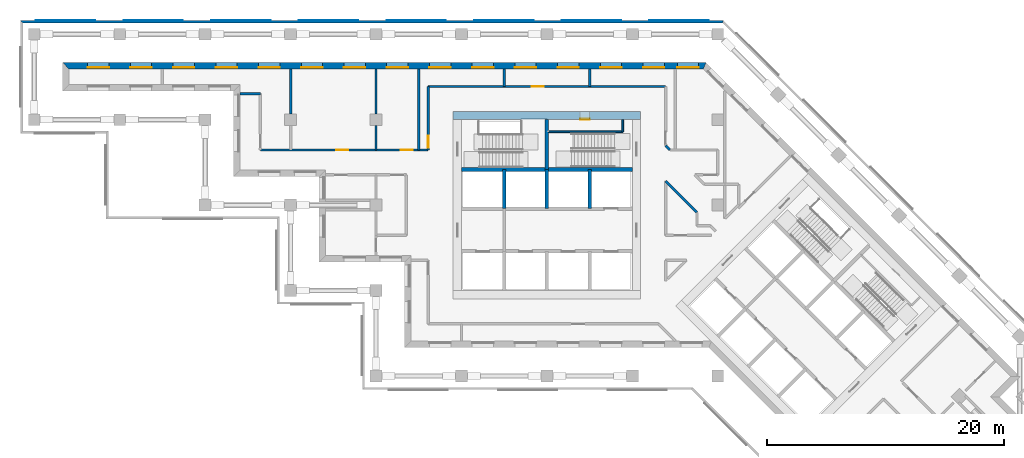
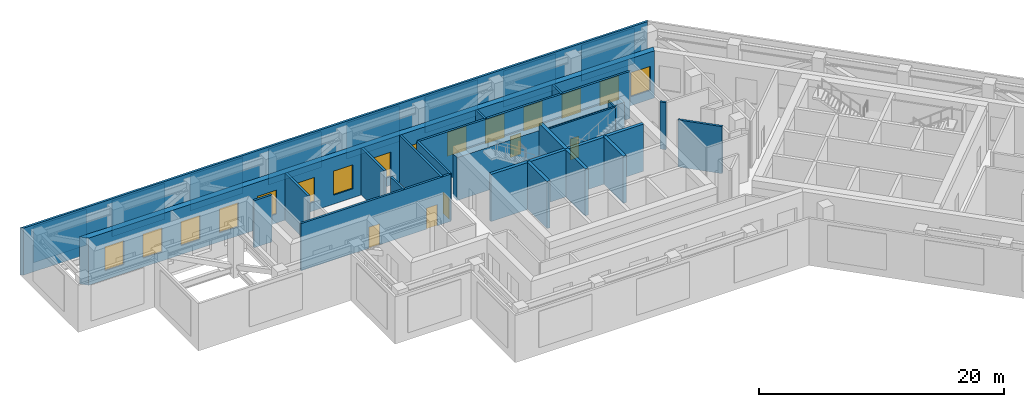
# One storey, part 5 of 9: 23 walls, 15 windows, 8 plates, 5 doors, 20 openings.
"""IFC4 building model written with IfcOpenShell, lengths in metres."""

from ifc_helpers import new_model, si_unit, direction, frame, frame_2d, origin, place, context, subcontext, project, spatial, polyline, rectangle, outline, extrude, material, layer, layer_set, type_object, element, fill, aggregate, save


model = new_model("IFC4")

# Units and contexts
model_context = context("Model", 3, precision=1e-05, world=origin(), true_north=direction((0.0, 1.0)))
body_context = subcontext(model_context, "Body", "Model", "MODEL_VIEW")
ifc_project = project(units=[si_unit("LENGTHUNIT", "METRE"), si_unit("AREAUNIT", "SQUARE_METRE"), si_unit("VOLUMEUNIT", "CUBIC_METRE"), si_unit("PLANEANGLEUNIT", "RADIAN"), si_unit("MASSUNIT", "GRAM", prefix="KILO")], contexts=[model_context])

# Plate
ifc_material_1 = material(Name="Aluminium louvre", Category="aluminium")
ifc_layer_1 = layer(ifc_material_1, 0.05)
ifc_layer_set_1 = layer_set([ifc_layer_1], Name="Belt louvre panel 5000x3600")
plate_type = type_object("IfcPlateType", Name="Belt louvre panel 5000x3600", PredefinedType="SHEET", material=ifc_layer_set_1)
site_placement = place(None, origin())
building_placement = place(site_placement, origin())
storey_placement = place(building_placement, frame((0.0, 0.0, 126.2)))
plate_1_placement = place(storey_placement, frame((78.4421, 73.2, 0.75), z_axis=(0.0, 1.0, 0.0), x_axis=(-1.0, 0.0, 0.0)))
plate_1 = element("IfcPlate", 1, at=plate_1_placement, type_object=plate_type, Name="Belt louvre panel L34 26.1", PredefinedType="SHEET", context=body_context, shape_type="SweptSolid", body=[
    extrude(outline(polyline([(0.0, 0.0), (5.0, 0.0), (5.0, 3.6), (0.0, 3.6), (0.0, 0.0)])), origin(), (0.0, 0.0, -1.0), 0.05),
])

plate_2_placement = place(storey_placement, frame((71.0565, 73.2, 0.75), z_axis=(0.0, 1.0, 0.0), x_axis=(-1.0, 0.0, 0.0)))
plate_2 = element("IfcPlate", 2, at=plate_2_placement, type_object=plate_type, Name="Belt louvre panel L34 27.2", PredefinedType="SHEET", context=body_context, shape_type="SweptSolid", body=[
    extrude(outline(polyline([(0.0, 0.0), (5.0, 0.0), (5.0, 3.6), (0.0, 3.6), (0.0, 0.0)])), origin(), (0.0, 0.0, -1.0), 0.05),
])

plate_3_placement = place(storey_placement, frame((63.6709, 73.2, 0.75), z_axis=(0.0, 1.0, 0.0), x_axis=(-1.0, 0.0, 0.0)))
plate_3 = element("IfcPlate", 3, at=plate_3_placement, type_object=plate_type, Name="Belt louvre panel L34 28.3", PredefinedType="SHEET", context=body_context, shape_type="SweptSolid", body=[
    extrude(outline(polyline([(0.0, 0.0), (5.0, 0.0), (5.0, 3.6), (0.0, 3.6), (0.0, 0.0)])), origin(), (0.0, 0.0, -1.0), 0.05),
])

plate_4_placement = place(storey_placement, frame((56.2852, 73.2, 0.75), z_axis=(0.0, 1.0, 0.0), x_axis=(-1.0, 0.0, 0.0)))
plate_4 = element("IfcPlate", 4, at=plate_4_placement, type_object=plate_type, Name="Belt louvre panel L34 29.4", PredefinedType="SHEET", context=body_context, shape_type="SweptSolid", body=[
    extrude(outline(polyline([(0.0, 0.0), (5.0, 0.0), (5.0, 3.6), (0.0, 3.6), (0.0, 0.0)])), origin(), (0.0, 0.0, -1.0), 0.05),
])

plate_5_placement = place(storey_placement, frame((48.8996, 73.2, 0.75), z_axis=(0.0, 1.0, 0.0), x_axis=(-1.0, 0.0, 0.0)))
plate_5 = element("IfcPlate", 5, at=plate_5_placement, type_object=plate_type, Name="Belt louvre panel L34 30.5", PredefinedType="SHEET", context=body_context, shape_type="SweptSolid", body=[
    extrude(outline(polyline([(0.0, 0.0), (5.0, 0.0), (5.0, 3.6), (0.0, 3.6), (0.0, 0.0)])), origin(), (0.0, 0.0, -1.0), 0.05),
])

plate_6_placement = place(storey_placement, frame((41.514, 73.2, 0.75), z_axis=(0.0, 1.0, 0.0), x_axis=(-1.0, 0.0, 0.0)))
plate_6 = element("IfcPlate", 6, at=plate_6_placement, type_object=plate_type, Name="Belt louvre panel L34 31.6", PredefinedType="SHEET", context=body_context, shape_type="SweptSolid", body=[
    extrude(outline(polyline([(0.0, 0.0), (5.0, 0.0), (5.0, 3.6), (0.0, 3.6), (0.0, 0.0)])), origin(), (0.0, 0.0, -1.0), 0.05),
])

plate_7_placement = place(storey_placement, frame((34.1284, 73.2, 0.75), z_axis=(0.0, 1.0, 0.0), x_axis=(-1.0, 0.0, 0.0)))
plate_7 = element("IfcPlate", 7, at=plate_7_placement, type_object=plate_type, Name="Belt louvre panel L34 32.7", PredefinedType="SHEET", context=body_context, shape_type="SweptSolid", body=[
    extrude(outline(polyline([(0.0, 0.0), (5.0, 0.0), (5.0, 3.6), (0.0, 3.6), (0.0, 0.0)])), origin(), (0.0, 0.0, -1.0), 0.05),
])

plate_8_placement = place(storey_placement, frame((26.7428, 73.2, 0.75), z_axis=(0.0, 1.0, 0.0), x_axis=(-1.0, 0.0, 0.0)))
plate_8 = element("IfcPlate", 8, at=plate_8_placement, type_object=plate_type, Name="Belt louvre panel L34 33.8", PredefinedType="SHEET", context=body_context, shape_type="SweptSolid", body=[
    extrude(outline(polyline([(0.0, 0.0), (5.0, 0.0), (5.0, 3.6), (0.0, 3.6), (0.0, 0.0)])), origin(), (0.0, 0.0, -1.0), 0.05),
])

# Site, building, storey
site = spatial("IfcSite", under=ifc_project, at=site_placement, CompositionType="ELEMENT")
building = spatial("IfcBuilding", under=site, at=building_placement, Name="Windrow Commons", CompositionType="ELEMENT")
storey = spatial("IfcBuildingStorey", under=building, at=storey_placement, Name="L34", CompositionType="ELEMENT", Elevation=126.2)

# Wall
ifc_material_2 = material(Name="Concrete C40/50 precast screen panel", Category="concrete")
ifc_layer_2 = layer(ifc_material_2, 0.2)
ifc_layer_set_2 = layer_set([ifc_layer_2], Name="Belt screen wall 200")
wall_type_1 = type_object("IfcWallType", Name="Belt screen wall 200", PredefinedType="SOLIDWALL", material=ifc_layer_set_2)
wall_1_placement = place(storey_placement, frame((79.6349, 73.05, 0.0), z_axis=(0.0, 0.0, 1.0), x_axis=(-1.0, 0.0, 0.0)))
wall_1 = element("IfcWall", 9, at=wall_1_placement, inside=storey, type_object=wall_type_1, Name="Belt screen wall L34 26", PredefinedType="SOLIDWALL", context=body_context, shape_type="SweptSolid", body=[
    extrude(outline(polyline([(-0.0414, -0.1), (59.1849, -0.1), (58.9849, 0.1), (0.0414, 0.1), (-0.0414, -0.1)])), origin(), (0.0, 0.0, 1.0), 4.7),
])

aggregate(wall_1, [plate_1, plate_2, plate_3, plate_4, plate_5, plate_6, plate_7, plate_8])

# Wall, openings, windows
ifc_material_3 = material(Name="Brick masonry, red clay brick", Category="masonry")
ifc_layer_3 = layer(ifc_material_3, 0.55)
ifc_layer_set_3 = layer_set([ifc_layer_3], Name="Brick facade wall 550")
wall_type_2 = type_object("IfcWallType", Name="Brick facade wall 550", PredefinedType="SOLIDWALL", material=ifc_layer_set_3)
wall_2_placement = place(storey_placement, frame((78.092, 69.325, 0.0), z_axis=(0.0, 0.0, 1.0), x_axis=(-1.0, 0.0, 0.0)))
wall_2 = element("IfcWall", 10, at=wall_2_placement, inside=storey, type_object=wall_type_2, Name="Brick facade wall L34 4", PredefinedType="SOLIDWALL", context=body_context, shape_type="SweptSolid", body=[
    extrude(outline(polyline([(-0.1139, -0.275), (54.092, -0.275), (53.542, 0.275), (0.1139, 0.275), (-0.1139, -0.275)])), origin(), (0.0, 0.0, 1.0), 4.7),
])
opening_1_placement = place(wall_2_placement, frame((0.503, 0.0, 0.9)))
opening_1 = element("IfcOpeningElement", 11, at=opening_1_placement, cuts=wall_2, Name="Opening LV1", PredefinedType="OPENING", context=body_context, shape_type="SweptSolid", body=[
    extrude(rectangle(XDim=1.8, YDim=2.4, at=frame_2d((0.9, 1.2))), frame((0.0, 0.285, 0.0), z_axis=(0.0, -1.0, 0.0), x_axis=(1.0, 0.0, 0.0)), (0.0, 0.0, 1.0), 0.57),
])
opening_2_placement = place(wall_2_placement, frame((3.392, 0.0, 0.9)))
opening_2 = element("IfcOpeningElement", 12, at=opening_2_placement, cuts=wall_2, Name="Opening LV1", PredefinedType="OPENING", context=body_context, shape_type="SweptSolid", body=[
    extrude(rectangle(XDim=1.8, YDim=2.4, at=frame_2d((0.9, 1.2))), frame((0.0, 0.285, 0.0), z_axis=(0.0, -1.0, 0.0), x_axis=(1.0, 0.0, 0.0)), (0.0, 0.0, 1.0), 0.57),
])
opening_3_placement = place(wall_2_placement, frame((6.992, 0.0, 0.9)))
opening_3 = element("IfcOpeningElement", 13, at=opening_3_placement, cuts=wall_2, Name="Opening LV1", PredefinedType="OPENING", context=body_context, shape_type="SweptSolid", body=[
    extrude(rectangle(XDim=1.8, YDim=2.4, at=frame_2d((0.9, 1.2))), frame((0.0, 0.285, 0.0), z_axis=(0.0, -1.0, 0.0), x_axis=(1.0, 0.0, 0.0)), (0.0, 0.0, 1.0), 0.57),
])
opening_4_placement = place(wall_2_placement, frame((10.592, 0.0, 0.9)))
opening_4 = element("IfcOpeningElement", 14, at=opening_4_placement, cuts=wall_2, Name="Opening LV1", PredefinedType="OPENING", context=body_context, shape_type="SweptSolid", body=[
    extrude(rectangle(XDim=1.8, YDim=2.4, at=frame_2d((0.9, 1.2))), frame((0.0, 0.285, 0.0), z_axis=(0.0, -1.0, 0.0), x_axis=(1.0, 0.0, 0.0)), (0.0, 0.0, 1.0), 0.57),
])
opening_5_placement = place(wall_2_placement, frame((14.192, 0.0, 0.9)))
opening_5 = element("IfcOpeningElement", 15, at=opening_5_placement, cuts=wall_2, Name="Opening LV1", PredefinedType="OPENING", context=body_context, shape_type="SweptSolid", body=[
    extrude(rectangle(XDim=1.8, YDim=2.4, at=frame_2d((0.9, 1.2))), frame((0.0, 0.285, 0.0), z_axis=(0.0, -1.0, 0.0), x_axis=(1.0, 0.0, 0.0)), (0.0, 0.0, 1.0), 0.57),
])
opening_6_placement = place(wall_2_placement, frame((17.792, 0.0, 0.9)))
opening_6 = element("IfcOpeningElement", 16, at=opening_6_placement, cuts=wall_2, Name="Opening LV1", PredefinedType="OPENING", context=body_context, shape_type="SweptSolid", body=[
    extrude(rectangle(XDim=1.8, YDim=2.4, at=frame_2d((0.9, 1.2))), frame((0.0, 0.285, 0.0), z_axis=(0.0, -1.0, 0.0), x_axis=(1.0, 0.0, 0.0)), (0.0, 0.0, 1.0), 0.57),
])
opening_7_placement = place(wall_2_placement, frame((21.392, 0.0, 0.9)))
opening_7 = element("IfcOpeningElement", 17, at=opening_7_placement, cuts=wall_2, Name="Opening LV1", PredefinedType="OPENING", context=body_context, shape_type="SweptSolid", body=[
    extrude(rectangle(XDim=1.8, YDim=2.4, at=frame_2d((0.9, 1.2))), frame((0.0, 0.285, 0.0), z_axis=(0.0, -1.0, 0.0), x_axis=(1.0, 0.0, 0.0)), (0.0, 0.0, 1.0), 0.57),
])
opening_8_placement = place(wall_2_placement, frame((24.992, 0.0, 0.9)))
opening_8 = element("IfcOpeningElement", 18, at=opening_8_placement, cuts=wall_2, Name="Opening LV1", PredefinedType="OPENING", context=body_context, shape_type="SweptSolid", body=[
    extrude(rectangle(XDim=1.8, YDim=2.4, at=frame_2d((0.9, 1.2))), frame((0.0, 0.285, 0.0), z_axis=(0.0, -1.0, 0.0), x_axis=(1.0, 0.0, 0.0)), (0.0, 0.0, 1.0), 0.57),
])
opening_9_placement = place(wall_2_placement, frame((28.592, 0.0, 0.9)))
opening_9 = element("IfcOpeningElement", 19, at=opening_9_placement, cuts=wall_2, Name="Opening LV1", PredefinedType="OPENING", context=body_context, shape_type="SweptSolid", body=[
    extrude(rectangle(XDim=1.8, YDim=2.4, at=frame_2d((0.9, 1.2))), frame((0.0, 0.285, 0.0), z_axis=(0.0, -1.0, 0.0), x_axis=(1.0, 0.0, 0.0)), (0.0, 0.0, 1.0), 0.57),
])
opening_10_placement = place(wall_2_placement, frame((32.192, 0.0, 0.9)))
opening_10 = element("IfcOpeningElement", 20, at=opening_10_placement, cuts=wall_2, Name="Opening LV1", PredefinedType="OPENING", context=body_context, shape_type="SweptSolid", body=[
    extrude(rectangle(XDim=1.8, YDim=2.4, at=frame_2d((0.9, 1.2))), frame((0.0, 0.285, 0.0), z_axis=(0.0, -1.0, 0.0), x_axis=(1.0, 0.0, 0.0)), (0.0, 0.0, 1.0), 0.57),
])
opening_11_placement = place(wall_2_placement, frame((35.792, 0.0, 0.9)))
opening_11 = element("IfcOpeningElement", 21, at=opening_11_placement, cuts=wall_2, Name="Opening LV1", PredefinedType="OPENING", context=body_context, shape_type="SweptSolid", body=[
    extrude(rectangle(XDim=1.8, YDim=2.4, at=frame_2d((0.9, 1.2))), frame((0.0, 0.285, 0.0), z_axis=(0.0, -1.0, 0.0), x_axis=(1.0, 0.0, 0.0)), (0.0, 0.0, 1.0), 0.57),
])
opening_12_placement = place(wall_2_placement, frame((39.392, 0.0, 0.9)))
opening_12 = element("IfcOpeningElement", 22, at=opening_12_placement, cuts=wall_2, Name="Opening LV1", PredefinedType="OPENING", context=body_context, shape_type="SweptSolid", body=[
    extrude(rectangle(XDim=1.8, YDim=2.4, at=frame_2d((0.9, 1.2))), frame((0.0, 0.285, 0.0), z_axis=(0.0, -1.0, 0.0), x_axis=(1.0, 0.0, 0.0)), (0.0, 0.0, 1.0), 0.57),
])
opening_13_placement = place(wall_2_placement, frame((42.992, 0.0, 0.9)))
opening_13 = element("IfcOpeningElement", 23, at=opening_13_placement, cuts=wall_2, Name="Opening LV1", PredefinedType="OPENING", context=body_context, shape_type="SweptSolid", body=[
    extrude(rectangle(XDim=1.8, YDim=2.4, at=frame_2d((0.9, 1.2))), frame((0.0, 0.285, 0.0), z_axis=(0.0, -1.0, 0.0), x_axis=(1.0, 0.0, 0.0)), (0.0, 0.0, 1.0), 0.57),
])
opening_14_placement = place(wall_2_placement, frame((46.592, 0.0, 0.9)))
opening_14 = element("IfcOpeningElement", 24, at=opening_14_placement, cuts=wall_2, Name="Opening LV1", PredefinedType="OPENING", context=body_context, shape_type="SweptSolid", body=[
    extrude(rectangle(XDim=1.8, YDim=2.4, at=frame_2d((0.9, 1.2))), frame((0.0, 0.285, 0.0), z_axis=(0.0, -1.0, 0.0), x_axis=(1.0, 0.0, 0.0)), (0.0, 0.0, 1.0), 0.57),
])
opening_15_placement = place(wall_2_placement, frame((50.192, 0.0, 0.9)))
opening_15 = element("IfcOpeningElement", 25, at=opening_15_placement, cuts=wall_2, Name="Opening LV1", PredefinedType="OPENING", context=body_context, shape_type="SweptSolid", body=[
    extrude(rectangle(XDim=1.8, YDim=2.4, at=frame_2d((0.9, 1.2))), frame((0.0, 0.285, 0.0), z_axis=(0.0, -1.0, 0.0), x_axis=(1.0, 0.0, 0.0)), (0.0, 0.0, 1.0), 0.57),
])
ifc_material_4 = material(Name="Aluminium 6063-T6 anodised louvre", Category="aluminium")
window_type = type_object("IfcWindowType", Name="Plant louvre 1800x2400", PartitioningType="SINGLE_PANEL", PredefinedType="WINDOW", material=ifc_material_4)
window_1_placement = place(opening_1_placement, origin())
window_1 = element("IfcWindow", 26, at=window_1_placement, inside=storey, type_object=window_type, Name="Louvre L34 4.1", OverallHeight=2.4, OverallWidth=1.8, PartitioningType="SINGLE_PANEL", PredefinedType="WINDOW", context=body_context, shape_type="SweptSolid", body=[
    extrude(rectangle(XDim=1.8, YDim=2.4, at=frame_2d((0.9, 1.2))), frame((0.0, 0.155, 0.0), z_axis=(0.0, -1.0, 0.0), x_axis=(1.0, 0.0, 0.0)), (0.0, 0.0, 1.0), 0.06),
])
fill(opening_1, window_1)
window_2_placement = place(opening_2_placement, origin())
window_2 = element("IfcWindow", 27, at=window_2_placement, inside=storey, type_object=window_type, Name="Louvre L34 4.2", OverallHeight=2.4, OverallWidth=1.8, PartitioningType="SINGLE_PANEL", PredefinedType="WINDOW", context=body_context, shape_type="SweptSolid", body=[
    extrude(rectangle(XDim=1.8, YDim=2.4, at=frame_2d((0.9, 1.2))), frame((0.0, 0.155, 0.0), z_axis=(0.0, -1.0, 0.0), x_axis=(1.0, 0.0, 0.0)), (0.0, 0.0, 1.0), 0.06),
])
fill(opening_2, window_2)
window_3_placement = place(opening_3_placement, origin())
window_3 = element("IfcWindow", 28, at=window_3_placement, inside=storey, type_object=window_type, Name="Louvre L34 4.3", OverallHeight=2.4, OverallWidth=1.8, PartitioningType="SINGLE_PANEL", PredefinedType="WINDOW", context=body_context, shape_type="SweptSolid", body=[
    extrude(rectangle(XDim=1.8, YDim=2.4, at=frame_2d((0.9, 1.2))), frame((0.0, 0.155, 0.0), z_axis=(0.0, -1.0, 0.0), x_axis=(1.0, 0.0, 0.0)), (0.0, 0.0, 1.0), 0.06),
])
fill(opening_3, window_3)
window_4_placement = place(opening_4_placement, origin())
window_4 = element("IfcWindow", 29, at=window_4_placement, inside=storey, type_object=window_type, Name="Louvre L34 4.4", OverallHeight=2.4, OverallWidth=1.8, PartitioningType="SINGLE_PANEL", PredefinedType="WINDOW", context=body_context, shape_type="SweptSolid", body=[
    extrude(rectangle(XDim=1.8, YDim=2.4, at=frame_2d((0.9, 1.2))), frame((0.0, 0.155, 0.0), z_axis=(0.0, -1.0, 0.0), x_axis=(1.0, 0.0, 0.0)), (0.0, 0.0, 1.0), 0.06),
])
fill(opening_4, window_4)
window_5_placement = place(opening_5_placement, origin())
window_5 = element("IfcWindow", 30, at=window_5_placement, inside=storey, type_object=window_type, Name="Louvre L34 4.5", OverallHeight=2.4, OverallWidth=1.8, PartitioningType="SINGLE_PANEL", PredefinedType="WINDOW", context=body_context, shape_type="SweptSolid", body=[
    extrude(rectangle(XDim=1.8, YDim=2.4, at=frame_2d((0.9, 1.2))), frame((0.0, 0.155, 0.0), z_axis=(0.0, -1.0, 0.0), x_axis=(1.0, 0.0, 0.0)), (0.0, 0.0, 1.0), 0.06),
])
fill(opening_5, window_5)
window_6_placement = place(opening_6_placement, origin())
window_6 = element("IfcWindow", 31, at=window_6_placement, inside=storey, type_object=window_type, Name="Louvre L34 4.6", OverallHeight=2.4, OverallWidth=1.8, PartitioningType="SINGLE_PANEL", PredefinedType="WINDOW", context=body_context, shape_type="SweptSolid", body=[
    extrude(rectangle(XDim=1.8, YDim=2.4, at=frame_2d((0.9, 1.2))), frame((0.0, 0.155, 0.0), z_axis=(0.0, -1.0, 0.0), x_axis=(1.0, 0.0, 0.0)), (0.0, 0.0, 1.0), 0.06),
])
fill(opening_6, window_6)
window_7_placement = place(opening_7_placement, origin())
window_7 = element("IfcWindow", 32, at=window_7_placement, inside=storey, type_object=window_type, Name="Louvre L34 4.7", OverallHeight=2.4, OverallWidth=1.8, PartitioningType="SINGLE_PANEL", PredefinedType="WINDOW", context=body_context, shape_type="SweptSolid", body=[
    extrude(rectangle(XDim=1.8, YDim=2.4, at=frame_2d((0.9, 1.2))), frame((0.0, 0.155, 0.0), z_axis=(0.0, -1.0, 0.0), x_axis=(1.0, 0.0, 0.0)), (0.0, 0.0, 1.0), 0.06),
])
fill(opening_7, window_7)
window_8_placement = place(opening_8_placement, origin())
window_8 = element("IfcWindow", 33, at=window_8_placement, inside=storey, type_object=window_type, Name="Louvre L34 4.8", OverallHeight=2.4, OverallWidth=1.8, PartitioningType="SINGLE_PANEL", PredefinedType="WINDOW", context=body_context, shape_type="SweptSolid", body=[
    extrude(rectangle(XDim=1.8, YDim=2.4, at=frame_2d((0.9, 1.2))), frame((0.0, 0.155, 0.0), z_axis=(0.0, -1.0, 0.0), x_axis=(1.0, 0.0, 0.0)), (0.0, 0.0, 1.0), 0.06),
])
fill(opening_8, window_8)
window_9_placement = place(opening_9_placement, origin())
window_9 = element("IfcWindow", 34, at=window_9_placement, inside=storey, type_object=window_type, Name="Louvre L34 4.9", OverallHeight=2.4, OverallWidth=1.8, PartitioningType="SINGLE_PANEL", PredefinedType="WINDOW", context=body_context, shape_type="SweptSolid", body=[
    extrude(rectangle(XDim=1.8, YDim=2.4, at=frame_2d((0.9, 1.2))), frame((0.0, 0.155, 0.0), z_axis=(0.0, -1.0, 0.0), x_axis=(1.0, 0.0, 0.0)), (0.0, 0.0, 1.0), 0.06),
])
fill(opening_9, window_9)
window_10_placement = place(opening_10_placement, origin())
window_10 = element("IfcWindow", 35, at=window_10_placement, inside=storey, type_object=window_type, Name="Louvre L34 4.10", OverallHeight=2.4, OverallWidth=1.8, PartitioningType="SINGLE_PANEL", PredefinedType="WINDOW", context=body_context, shape_type="SweptSolid", body=[
    extrude(rectangle(XDim=1.8, YDim=2.4, at=frame_2d((0.9, 1.2))), frame((0.0, 0.155, 0.0), z_axis=(0.0, -1.0, 0.0), x_axis=(1.0, 0.0, 0.0)), (0.0, 0.0, 1.0), 0.06),
])
fill(opening_10, window_10)
window_11_placement = place(opening_11_placement, origin())
window_11 = element("IfcWindow", 36, at=window_11_placement, inside=storey, type_object=window_type, Name="Louvre L34 4.11", OverallHeight=2.4, OverallWidth=1.8, PartitioningType="SINGLE_PANEL", PredefinedType="WINDOW", context=body_context, shape_type="SweptSolid", body=[
    extrude(rectangle(XDim=1.8, YDim=2.4, at=frame_2d((0.9, 1.2))), frame((0.0, 0.155, 0.0), z_axis=(0.0, -1.0, 0.0), x_axis=(1.0, 0.0, 0.0)), (0.0, 0.0, 1.0), 0.06),
])
fill(opening_11, window_11)
window_12_placement = place(opening_12_placement, origin())
window_12 = element("IfcWindow", 37, at=window_12_placement, inside=storey, type_object=window_type, Name="Louvre L34 4.12", OverallHeight=2.4, OverallWidth=1.8, PartitioningType="SINGLE_PANEL", PredefinedType="WINDOW", context=body_context, shape_type="SweptSolid", body=[
    extrude(rectangle(XDim=1.8, YDim=2.4, at=frame_2d((0.9, 1.2))), frame((0.0, 0.155, 0.0), z_axis=(0.0, -1.0, 0.0), x_axis=(1.0, 0.0, 0.0)), (0.0, 0.0, 1.0), 0.06),
])
fill(opening_12, window_12)
window_13_placement = place(opening_13_placement, origin())
window_13 = element("IfcWindow", 38, at=window_13_placement, inside=storey, type_object=window_type, Name="Louvre L34 4.13", OverallHeight=2.4, OverallWidth=1.8, PartitioningType="SINGLE_PANEL", PredefinedType="WINDOW", context=body_context, shape_type="SweptSolid", body=[
    extrude(rectangle(XDim=1.8, YDim=2.4, at=frame_2d((0.9, 1.2))), frame((0.0, 0.155, 0.0), z_axis=(0.0, -1.0, 0.0), x_axis=(1.0, 0.0, 0.0)), (0.0, 0.0, 1.0), 0.06),
])
fill(opening_13, window_13)
window_14_placement = place(opening_14_placement, origin())
window_14 = element("IfcWindow", 39, at=window_14_placement, inside=storey, type_object=window_type, Name="Louvre L34 4.14", OverallHeight=2.4, OverallWidth=1.8, PartitioningType="SINGLE_PANEL", PredefinedType="WINDOW", context=body_context, shape_type="SweptSolid", body=[
    extrude(rectangle(XDim=1.8, YDim=2.4, at=frame_2d((0.9, 1.2))), frame((0.0, 0.155, 0.0), z_axis=(0.0, -1.0, 0.0), x_axis=(1.0, 0.0, 0.0)), (0.0, 0.0, 1.0), 0.06),
])
fill(opening_14, window_14)
window_15_placement = place(opening_15_placement, origin())
window_15 = element("IfcWindow", 40, at=window_15_placement, inside=storey, type_object=window_type, Name="Louvre L34 4.15", OverallHeight=2.4, OverallWidth=1.8, PartitioningType="SINGLE_PANEL", PredefinedType="WINDOW", context=body_context, shape_type="SweptSolid", body=[
    extrude(rectangle(XDim=1.8, YDim=2.4, at=frame_2d((0.9, 1.2))), frame((0.0, 0.155, 0.0), z_axis=(0.0, -1.0, 0.0), x_axis=(1.0, 0.0, 0.0)), (0.0, 0.0, 1.0), 0.06),
])
fill(opening_15, window_15)

# Wall, opening, door
ifc_material_5 = material(Name="Blockwork partition", Category="masonry")
ifc_layer_4 = layer(ifc_material_5, 0.2)
ifc_layer_set_4 = layer_set([ifc_layer_4], Name="IW-CORRIDOR-200")
wall_type_3 = type_object("IfcWallType", Name="IW-CORRIDOR-200", PredefinedType="PARTITIONING", material=ifc_layer_set_4)
wall_3_placement = place(storey_placement, frame((54.8, 67.6, 0.0), z_axis=(0.0, 0.0, 1.0), x_axis=(1.0, 0.0, 0.0)))
wall_3 = element("IfcWall", 41, at=wall_3_placement, inside=storey, type_object=wall_type_3, Name="W-L34-W000", PredefinedType="PARTITIONING", context=body_context, shape_type="SweptSolid", body=[
    extrude(rectangle(XDim=19.998, YDim=0.2, at=frame_2d((9.999, 0.0))), origin(), (0.0, 0.0, 1.0), 4.7),
])
opening_16_placement = place(wall_3_placement, frame((8.7375, 0.0, 0.0)))
opening_16 = element("IfcOpeningElement", 42, at=opening_16_placement, cuts=wall_3, Name="Opening D410F", PredefinedType="OPENING", context=body_context, shape_type="SweptSolid", body=[
    extrude(rectangle(XDim=1.0, YDim=2.1, at=frame_2d((0.5, 1.05))), frame((0.0, 0.11, 0.0), z_axis=(0.0, -1.0, 0.0), x_axis=(1.0, 0.0, 0.0)), (0.0, 0.0, 1.0), 0.22),
])
ifc_material_6 = material(Name="Timber door leaf", Category="wood")
door_type_1 = type_object("IfcDoorType", Name="DT-SERVICE-1000", OperationType="SINGLE_SWING_LEFT", PredefinedType="DOOR", material=ifc_material_6)
door_1_placement = place(opening_16_placement, origin())
door_1 = element("IfcDoor", 43, at=door_1_placement, inside=storey, type_object=door_type_1, Name="D-L34-D005", OperationType="SINGLE_SWING_LEFT", OverallHeight=2.1, OverallWidth=1.0, PredefinedType="DOOR", context=body_context, shape_type="SweptSolid", body=[
    extrude(rectangle(XDim=1.0, YDim=2.1, at=frame_2d((0.5, 1.05))), frame((0.0, 0.025, 0.0), z_axis=(0.0, -1.0, 0.0), x_axis=(1.0, 0.0, 0.0)), (0.0, 0.0, 1.0), 0.05),
])
fill(opening_16, door_1)

# Wall, openings, doors
wall_4_placement = place(storey_placement, frame((40.652, 62.25, 0.0), z_axis=(0.0, 0.0, 1.0), x_axis=(1.0, 0.0, 0.0)))
wall_4 = element("IfcWall", 44, at=wall_4_placement, inside=storey, type_object=wall_type_3, Name="W-L34-W002", PredefinedType="PARTITIONING", context=body_context, shape_type="SweptSolid", body=[
    extrude(rectangle(XDim=14.148, YDim=0.2, at=frame_2d((7.074, 0.0))), origin(), (0.0, 0.0, 1.0), 4.7),
])
opening_17_placement = place(wall_4_placement, frame((6.4105, 0.0, 0.0)))
opening_17 = element("IfcOpeningElement", 45, at=opening_17_placement, cuts=wall_4, Name="Opening D410F", PredefinedType="OPENING", context=body_context, shape_type="SweptSolid", body=[
    extrude(rectangle(XDim=1.0, YDim=2.1, at=frame_2d((0.5, 1.05))), frame((0.0, 0.11, 0.0), z_axis=(0.0, -1.0, 0.0), x_axis=(1.0, 0.0, 0.0)), (0.0, 0.0, 1.0), 0.22),
])
opening_18_placement = place(wall_4_placement, frame((11.8405, 0.0, 0.0)))
opening_18 = element("IfcOpeningElement", 46, at=opening_18_placement, cuts=wall_4, Name="Opening D410F", PredefinedType="OPENING", context=body_context, shape_type="SweptSolid", body=[
    extrude(rectangle(XDim=1.0, YDim=2.1, at=frame_2d((0.5, 1.05))), frame((0.0, 0.11, 0.0), z_axis=(0.0, -1.0, 0.0), x_axis=(1.0, 0.0, 0.0)), (0.0, 0.0, 1.0), 0.22),
])
door_2_placement = place(opening_17_placement, origin())
door_2 = element("IfcDoor", 47, at=door_2_placement, inside=storey, type_object=door_type_1, Name="D-L34-D007", OperationType="SINGLE_SWING_RIGHT", OverallHeight=2.1, OverallWidth=1.0, PredefinedType="DOOR", context=body_context, shape_type="SweptSolid", body=[
    extrude(rectangle(XDim=1.0, YDim=2.1, at=frame_2d((0.5, 1.05))), frame((0.0, 0.025, 0.0), z_axis=(0.0, -1.0, 0.0), x_axis=(1.0, 0.0, 0.0)), (0.0, 0.0, 1.0), 0.05),
])
fill(opening_17, door_2)
door_3_placement = place(opening_18_placement, origin())
door_3 = element("IfcDoor", 48, at=door_3_placement, inside=storey, type_object=door_type_1, Name="D-L34-D008", OperationType="SINGLE_SWING_RIGHT", OverallHeight=2.1, OverallWidth=1.0, PredefinedType="DOOR", context=body_context, shape_type="SweptSolid", body=[
    extrude(rectangle(XDim=1.0, YDim=2.1, at=frame_2d((0.5, 1.05))), frame((0.0, 0.025, 0.0), z_axis=(0.0, -1.0, 0.0), x_axis=(1.0, 0.0, 0.0)), (0.0, 0.0, 1.0), 0.05),
])
fill(opening_18, door_3)

# Wall, opening, door
wall_5_placement = place(storey_placement, frame((54.8, 62.252, 0.0), z_axis=(0.0, 0.0, 1.0), x_axis=(0.0, 1.0, 0.0)))
wall_5 = element("IfcWall", 49, at=wall_5_placement, inside=storey, type_object=wall_type_3, Name="W-L34-W013", PredefinedType="PARTITIONING", context=body_context, shape_type="SweptSolid", body=[
    extrude(rectangle(XDim=5.346, YDim=0.2, at=frame_2d((2.673, 0.0))), origin(), (0.0, 0.0, 1.0), 4.7),
])
opening_19_placement = place(wall_5_placement, frame((0.1991, 0.0, 0.0)))
opening_19 = element("IfcOpeningElement", 50, at=opening_19_placement, cuts=wall_5, Name="Opening D410F", PredefinedType="OPENING", context=body_context, shape_type="SweptSolid", body=[
    extrude(rectangle(XDim=1.0, YDim=2.1, at=frame_2d((0.5, 1.05))), frame((0.0, 0.11, 0.0), z_axis=(0.0, -1.0, 0.0), x_axis=(1.0, 0.0, 0.0)), (0.0, 0.0, 1.0), 0.22),
])
door_4_placement = place(opening_19_placement, origin())
door_4 = element("IfcDoor", 51, at=door_4_placement, inside=storey, type_object=door_type_1, Name="D-L34-D009", OperationType="SINGLE_SWING_LEFT", OverallHeight=2.1, OverallWidth=1.0, PredefinedType="DOOR", context=body_context, shape_type="SweptSolid", body=[
    extrude(rectangle(XDim=1.0, YDim=2.1, at=frame_2d((0.5, 1.05))), frame((0.0, 0.025, 0.0), z_axis=(0.0, -1.0, 0.0), x_axis=(1.0, 0.0, 0.0)), (0.0, 0.0, 1.0), 0.05),
])
fill(opening_19, door_4)

# Walls
wall_6_placement = place(storey_placement, frame((74.7986, 59.6366, 0.0), z_axis=(0.0, 0.0, 1.0), x_axis=(0.7071067812, -0.7071067812, 0.0)))
element("IfcWall", 52, at=wall_6_placement, inside=storey, type_object=wall_type_3, Name="W-L34-W023", PredefinedType="PARTITIONING", context=body_context, shape_type="SweptSolid", body=[
    extrude(rectangle(XDim=3.7448, YDim=0.2, at=frame_2d((1.8724, 0.0))), origin(), (0.0, 0.0, 1.0), 4.7),
])
wall_7_placement = place(storey_placement, frame((38.95, 67.0, 0.0), z_axis=(0.0, 0.0, 1.0), x_axis=(1.0, 0.0, 0.0)))
element("IfcWall", 53, at=wall_7_placement, inside=storey, type_object=wall_type_3, Name="W-L34-W046", PredefinedType="PARTITIONING", context=body_context, shape_type="SweptSolid", body=[
    extrude(rectangle(XDim=1.698, YDim=0.2, at=frame_2d((0.849, 0.0))), origin(), (0.0, 0.0, 1.0), 4.7),
])
wall_8_placement = place(storey_placement, frame((74.7965, 62.6085, 0.0), z_axis=(0.0, 0.0, 1.0), x_axis=(0.7071067812, -0.7071067812, 0.0)))
element("IfcWall", 54, at=wall_8_placement, inside=storey, type_object=wall_type_3, Name="W-L34-W060", PredefinedType="PARTITIONING", context=body_context, shape_type="SweptSolid", body=[
    extrude(rectangle(XDim=0.5119, YDim=0.2, at=frame_2d((0.256, 0.0))), origin(), (0.0, 0.0, 1.0), 4.7),
])
ifc_material_7 = material(Name="Blockwork partition", Category="masonry")
ifc_layer_5 = layer(ifc_material_7, 0.2)
ifc_layer_set_5 = layer_set([ifc_layer_5], Name="IW-PARTY-200")
wall_type_4 = type_object("IfcWallType", Name="IW-PARTY-200", PredefinedType="PARTITIONING", material=ifc_layer_set_5)
wall_9_placement = place(storey_placement, frame((54.0, 62.25, 0.0), z_axis=(0.0, 0.0, 1.0), x_axis=(0.0, 1.0, 0.0)))
element("IfcWall", 55, at=wall_9_placement, inside=storey, type_object=wall_type_4, Name="W-L34-W007", PredefinedType="PARTITIONING", context=body_context, shape_type="SweptSolid", body=[
    extrude(rectangle(XDim=6.8, YDim=0.2, at=frame_2d((3.4, 0.0))), origin(), (0.0, 0.0, 1.0), 4.7),
])
for number, where, z_axis, x_axis, name in (
    (56, (43.2, 65.3, 0.0), (0.0, 0.0, 1.0), (0.0, 1.0, 0.0), "W-L34-W026"),
    (57, (50.4, 65.3, 0.0), (0.0, 0.0, 1.0), (0.0, 1.0, 0.0), "W-L34-W027"),
):
    element("IfcWall", number, at=place(storey_placement, frame(where, z_axis=z_axis, x_axis=x_axis)), inside=storey, type_object=wall_type_4, Name=name, PredefinedType="PARTITIONING", context=body_context, shape_type="SweptSolid", body=[
        extrude(rectangle(XDim=3.75, YDim=0.2, at=frame_2d((1.875, 0.0))), origin(), (0.0, 0.0, 1.0), 4.7),
    ])
wall_10_placement = place(storey_placement, frame((50.4, 62.25, 0.0), z_axis=(0.0, 0.0, 1.0), x_axis=(0.0, 1.0, 0.0)))
element("IfcWall", 58, at=wall_10_placement, inside=storey, type_object=wall_type_4, Name="W-L34-W037", PredefinedType="PARTITIONING", context=body_context, shape_type="SweptSolid", body=[
    extrude(rectangle(XDim=2.05, YDim=0.2, at=frame_2d((1.025, 0.0))), origin(), (0.0, 0.0, 1.0), 4.7),
])
for number, where, z_axis, x_axis, name in (
    (59, (61.2, 67.6, 0.0), (0.0, 0.0, 1.0), (0.0, 1.0, 0.0), "W-L34-W050"),
    (60, (68.4, 67.6, 0.0), (0.0, 0.0, 1.0), (0.0, 1.0, 0.0), "W-L34-W051"),
):
    element("IfcWall", number, at=place(storey_placement, frame(where, z_axis=z_axis, x_axis=x_axis)), inside=storey, type_object=wall_type_4, Name=name, PredefinedType="PARTITIONING", context=body_context, shape_type="SweptSolid", body=[
        extrude(rectangle(XDim=1.45, YDim=0.2, at=frame_2d((0.725, 0.0))), origin(), (0.0, 0.0, 1.0), 4.7),
    ])

# Wall, opening, door
ifc_material_8 = material(Name="Concrete C50/60", Category="concrete")
ifc_layer_6 = layer(ifc_material_8, 0.7)
ifc_layer_set_6 = layer_set([ifc_layer_6], Name="RC CORE WALL 700 C50/60")
wall_type_5 = type_object("IfcWallType", Name="RC CORE WALL 700 C50/60", PredefinedType="SHEAR", material=ifc_layer_set_6)
wall_11_placement = place(storey_placement, frame((56.9, 65.15, -0.3), z_axis=(0.0, 0.0, 1.0), x_axis=(1.0, 0.0, 0.0)))
wall_11 = element("IfcWall", 61, at=wall_11_placement, inside=storey, type_object=wall_type_5, Name="Core A wall outer-N", PredefinedType="SHEAR", context=body_context, shape_type="SweptSolid", body=[
    extrude(rectangle(XDim=15.8, YDim=0.7, at=frame_2d((7.9, 0.0))), origin(), (0.0, 0.0, 1.0), 4.3),
])
opening_20_placement = place(wall_11_placement, frame((10.7, 0.0, 0.3)))
opening_20 = element("IfcOpeningElement", 62, at=opening_20_placement, cuts=wall_11, Name="Opening D9", PredefinedType="OPENING", context=body_context, shape_type="SweptSolid", body=[
    extrude(rectangle(XDim=0.8, YDim=2.1, at=frame_2d((0.4, 1.05))), frame((0.0, 0.36, 0.0), z_axis=(0.0, -1.0, 0.0), x_axis=(1.0, 0.0, 0.0)), (0.0, 0.0, 1.0), 0.72),
])
ifc_material_9 = material(Name="Steel fire door leaf", Category="steel")
door_type_2 = type_object("IfcDoorType", Name="Riser access door 800", OperationType="SINGLE_SWING_LEFT", PredefinedType="DOOR", material=ifc_material_9)
door_5_placement = place(opening_20_placement, origin())
door_5 = element("IfcDoor", 63, at=door_5_placement, inside=storey, type_object=door_type_2, Name="Riser access door", OperationType="SINGLE_SWING_RIGHT", OverallHeight=2.1, OverallWidth=0.8, PredefinedType="DOOR", context=body_context, shape_type="SweptSolid", body=[
    extrude(rectangle(XDim=0.8, YDim=2.1, at=frame_2d((0.4, 1.05))), frame((0.0, -0.29, 0.0), z_axis=(0.0, -1.0, 0.0), x_axis=(1.0, 0.0, 0.0)), (0.0, 0.0, 1.0), 0.05),
])
fill(opening_20, door_5)

# Walls
ifc_material_10 = material(Name="Concrete C50/60", Category="concrete")
ifc_layer_7 = layer(ifc_material_10, 0.3)
ifc_layer_set_7 = layer_set([ifc_layer_7], Name="RC SHAFT WALL 300 C50/60")
wall_type_6 = type_object("IfcWallType", Name="RC SHAFT WALL 300 C50/60", PredefinedType="SOLIDWALL", material=ifc_layer_set_7)
for number, where, z_axis, x_axis, name in (
    (64, (61.2, 57.3, 0.0), (0.0, 0.0, 1.0), (0.0, 1.0, 0.0), "Core A wall shaft-N1"),
    (65, (64.8, 57.3, 0.0), (0.0, 0.0, 1.0), (0.0, 1.0, 0.0), "Core A wall shaft-N2"),
    (66, (68.4, 57.3, 0.0), (0.0, 0.0, 1.0), (0.0, 1.0, 0.0), "Core A wall shaft-N3"),
):
    element("IfcWall", number, at=place(storey_placement, frame(where, z_axis=z_axis, x_axis=x_axis)), inside=storey, type_object=wall_type_6, Name=name, PredefinedType="SOLIDWALL", context=body_context, shape_type="SweptSolid", body=[
        extrude(rectangle(XDim=3.3, YDim=0.3, at=frame_2d((1.65, 0.0))), origin(), (0.0, 0.0, 1.0), 4.7),
    ])
for number, where, z_axis, x_axis, name in (
    (67, (57.6, 60.6, 0.0), (0.0, 0.0, 1.0), (1.0, 0.0, 0.0), "Core A wall stair-S"),
    (68, (64.8, 60.6, 0.0), (0.0, 0.0, 1.0), (1.0, 0.0, 0.0), "Core A wall stair-S2"),
):
    element("IfcWall", number, at=place(storey_placement, frame(where, z_axis=z_axis, x_axis=x_axis)), inside=storey, type_object=wall_type_6, Name=name, PredefinedType="SOLIDWALL", context=body_context, shape_type="SweptSolid", body=[
        extrude(rectangle(XDim=7.2, YDim=0.3, at=frame_2d((3.6, 0.0))), origin(), (0.0, 0.0, 1.0), 4.7),
    ])
wall_12_placement = place(storey_placement, frame((64.8, 60.6, 0.0), z_axis=(0.0, 0.0, 1.0), x_axis=(0.0, 1.0, 0.0)))
element("IfcWall", 69, at=wall_12_placement, inside=storey, type_object=wall_type_6, Name="Core A wall stair-mid", PredefinedType="SOLIDWALL", context=body_context, shape_type="SweptSolid", body=[
    extrude(rectangle(XDim=4.2, YDim=0.3, at=frame_2d((2.1, 0.0))), origin(), (0.0, 0.0, 1.0), 4.7),
])
ifc_material_11 = material(Name="Blockwork partition", Category="masonry")
ifc_layer_8 = layer(ifc_material_11, 0.15)
ifc_layer_set_8 = layer_set([ifc_layer_8], Name="Riser partition 150")
wall_type_7 = type_object("IfcWallType", Name="Riser partition 150", PredefinedType="PARTITIONING", material=ifc_layer_set_8)
wall_13_placement = place(storey_placement, frame((64.95, 63.78, 0.0), z_axis=(0.0, 0.0, 1.0), x_axis=(1.0, 0.0, 0.0)))
element("IfcWall", 70, at=wall_13_placement, inside=storey, type_object=wall_type_7, Name="W-core-strip-A-L34", PredefinedType="PARTITIONING", context=body_context, shape_type="SweptSolid", body=[
    extrude(rectangle(XDim=6.25, YDim=0.15, at=frame_2d((3.125, 0.0))), origin(), (0.0, 0.0, 1.0), 4.7),
])
wall_14_placement = place(storey_placement, frame((71.2, 63.78, 0.0), z_axis=(0.0, 0.0, 1.0), x_axis=(0.0, 1.0, 0.0)))
element("IfcWall", 71, at=wall_14_placement, inside=storey, type_object=wall_type_7, Name="W-core-stripx-A-L34-1", PredefinedType="PARTITIONING", context=body_context, shape_type="SweptSolid", body=[
    extrude(rectangle(XDim=1.02, YDim=0.15, at=frame_2d((0.51, 0.0))), origin(), (0.0, 0.0, 1.0), 4.7),
])

save(model, "model.ifc")
